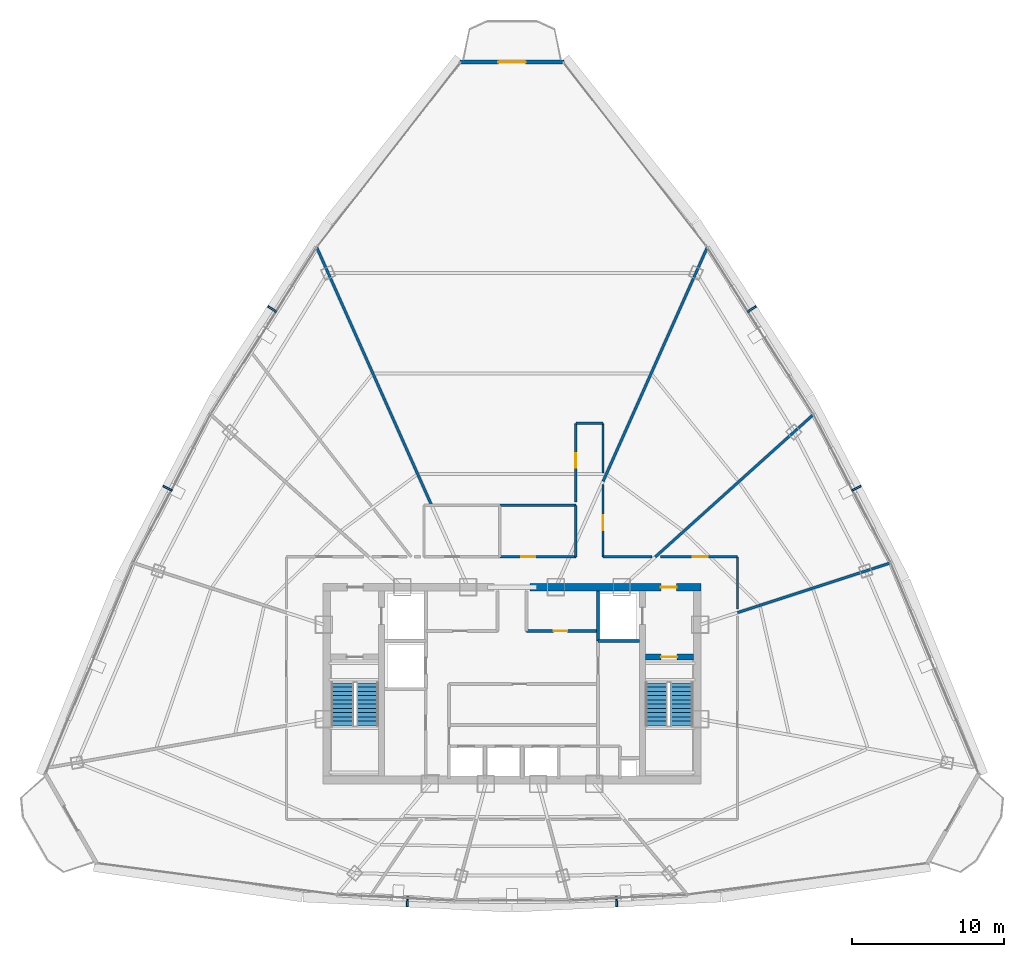
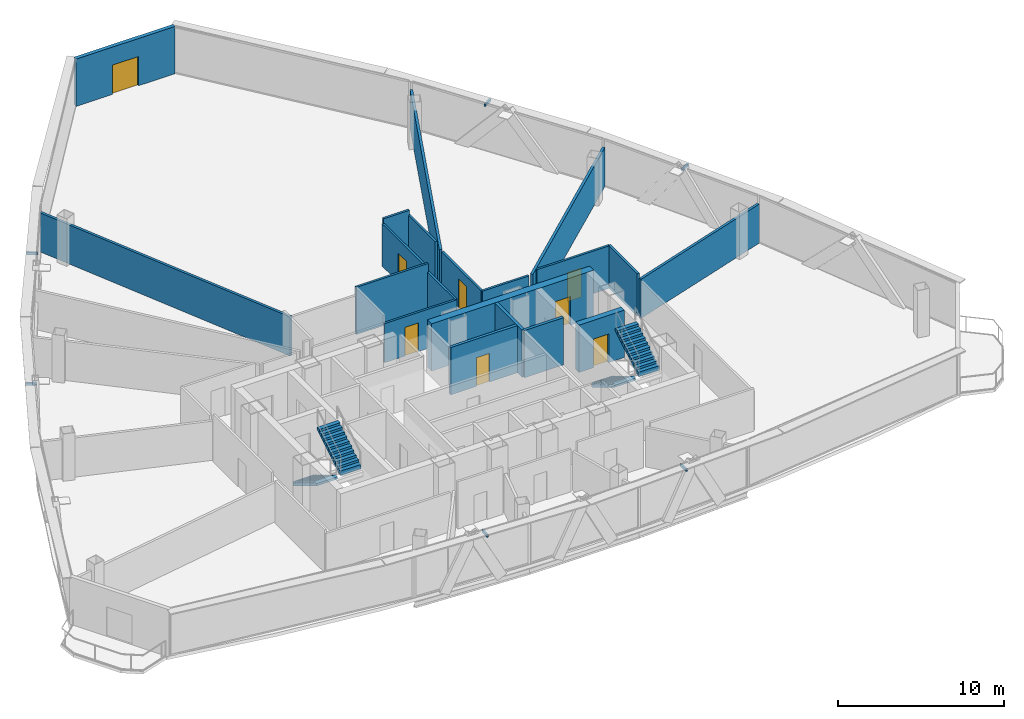
# One storey, part 30 of 33: 20 walls, 8 doors, 6 discrete accessories, 4 stair flights, 8 openings, 2 elements without a shape of their own.
"""IFC4 building model written with IfcOpenShell, lengths in metres."""

from ifc_helpers import new_model, si_unit, direction, frame, frame_2d, origin, origin_with_axes, origin_2d, place, context, subcontext, project, spatial, polyline, rectangle, outline, extrude, source, transform, mapped, material, layer, layer_set, type_object, element, fill, aggregate, save


model = new_model("IFC4")

# Units and contexts
model_context = context("Model", 3, precision=1e-05, world=origin(), true_north=direction((0.0, 1.0)))
body_context = subcontext(model_context, "Body", "Model", "MODEL_VIEW")
ifc_project = project(units=[si_unit("LENGTHUNIT", "METRE"), si_unit("AREAUNIT", "SQUARE_METRE"), si_unit("VOLUMEUNIT", "CUBIC_METRE"), si_unit("PLANEANGLEUNIT", "RADIAN"), si_unit("MASSUNIT", "GRAM", prefix="KILO"), si_unit("THERMODYNAMICTEMPERATUREUNIT", "KELVIN"), si_unit("POWERUNIT", "WATT")], contexts=[model_context])

# Site, building, storey
site_placement = place(None, origin())
site = spatial("IfcSite", under=ifc_project, at=site_placement, CompositionType="ELEMENT")
building_placement = place(site_placement, origin())
building = spatial("IfcBuilding", under=site, at=building_placement, Name="Yunzhuo Pagoda Commons", CompositionType="ELEMENT")
storey_placement = place(building_placement, frame((0.0, 0.0, 307.39990234375)))
storey = spatial("IfcBuildingStorey", under=building, at=storey_placement, Name="L77", CompositionType="ELEMENT", Elevation=307.39990234375)

# Wall, opening, door
ifc_material_1 = material(Name="Precast concrete C40", Category="concrete")
ifc_layer_1 = layer(ifc_material_1, 0.260009765625)
ifc_layer_set_1 = layer_set([ifc_layer_1], Name="Precast concrete C40")
wall_type_1 = type_object("IfcWallType", Name="W-BAL1 Corner Balcony Threshold Wall 260", PredefinedType="STANDARD", material=ifc_layer_set_1)
wall_1_placement = place(storey_placement, frame((51.437744140625, 74.7880859375, 0.0), z_axis=(0.0, 0.0, 1.0), x_axis=(-1.0, 0.0, 0.0)))
wall_1 = element("IfcWall", 1, at=wall_1_placement, inside=storey, type_object=wall_type_1, Name="L77 corner balcony wall V3", PredefinedType="STANDARD", context=body_context, shape_type="SweptSolid", body=[
    extrude(rectangle(XDim=6.87548828125, YDim=0.260009765625, at=frame_2d((3.437744140625, 0.0))), origin(), (0.0, 0.0, 1.0), 3.47021484375),
])
opening_1_placement = place(wall_1_placement, frame((2.537841796875, 0.0, 0.0)))
opening_1 = element("IfcOpeningElement", 2, at=opening_1_placement, cuts=wall_1, Name="Opening D-BAL1", PredefinedType="OPENING", context=body_context, shape_type="SweptSolid", body=[
    extrude(rectangle(XDim=1.800048828125, YDim=2.14990234375, at=frame_2d((0.89990234375, 1.074951171875))), frame((0.0, 0.14013671875, 0.0), z_axis=(0.0, -1.0, 0.0), x_axis=(1.0, 0.0, 0.0)), (0.0, 0.0, 1.0), 0.280029296875),
])
ifc_material_2 = material(Name="Anodized aluminium frame and tempered glazed leaf", Category="aluminium")
door_type_1 = type_object("IfcDoorType", Name="D-BAL1 Corner Balcony Sliding Glazed Door 1800x2150", OperationType="DOUBLE_DOOR_SLIDING", PredefinedType="DOOR", material=ifc_material_2)
shared_shape_1 = source(origin(), body_context, "Body", "SweptSolid", [
    extrude(rectangle(XDim=1.800048828125, YDim=2.14990234375, at=frame_2d((0.89990234375, 1.074951171875))), frame((0.0, 0.02490234375, 0.0), z_axis=(0.0, -1.0, 0.0), x_axis=(1.0, 0.0, 0.0)), (0.0, 0.0, 1.0), 0.050048828125),
])
door_1_placement = place(opening_1_placement, origin_with_axes())
door_1 = element("IfcDoor", 3, at=door_1_placement, inside=storey, type_object=door_type_1, Name="L77 corner balcony sliding door V3", OperationType="DOUBLE_DOOR_SLIDING", OverallHeight=2.14990234375, OverallWidth=1.800048828125, PredefinedType="DOOR", context=body_context, shape_type="MappedRepresentation", body=[
    mapped(shared_shape_1, transform((0.0, 0.0, 0.0), scale=1.0)),
])
fill(opening_1, door_1)

ifc_material_3 = material(Name="Concrete C50", Category="concrete")
ifc_layer_2 = layer(ifc_material_3, 0.5)
ifc_layer_set_2 = layer_set([ifc_layer_2], Name="Concrete C50")
wall_type_2 = type_object("IfcWallType", Name="W-C03 Upper Core Shear Wall 500", PredefinedType="SHEAR", material=ifc_layer_set_2)
wall_2_placement = place(storey_placement, frame((49.199951171875, 40.199951171875, 0.0), z_axis=(0.0, 0.0, 1.0), x_axis=(1.0, 0.0, 0.0)))
wall_2 = element("IfcWall", 4, at=wall_2_placement, inside=storey, type_object=wall_type_2, Name="L77 core shear wall NE", PredefinedType="SHEAR", context=body_context, shape_type="SweptSolid", body=[
    extrude(rectangle(XDim=11.25, YDim=0.5, at=frame_2d((5.625, 0.0))), origin(), (0.0, 0.0, 1.0), 3.47021484375),
])
opening_2_placement = place(wall_2_placement, frame((8.60009765625, 0.0, 0.0)))
opening_2 = element("IfcOpeningElement", 5, at=opening_2_placement, cuts=wall_2, Name="Opening D-02", PredefinedType="OPENING", context=body_context, shape_type="SweptSolid", body=[
    extrude(rectangle(XDim=1.050048828125, YDim=2.10009765625, at=frame_2d((0.52490234375, 1.050048828125))), frame((0.0, 0.260009765625, 0.0), z_axis=(0.0, -1.0, 0.0), x_axis=(1.0, 0.0, 0.0)), (0.0, 0.0, 1.0), 0.52001953125),
])
ifc_material_4 = material(Name="Galvanized fire-resisting metal leaf")
door_type_2 = type_object("IfcDoorType", Name="D-02 Firefighting Lobby & Refuge Fire Door 1050x2100", OperationType="NOTDEFINED", PredefinedType="DOOR", material=ifc_material_4)
shared_shape_2 = source(origin(), body_context, "Body", "SweptSolid", [
    extrude(rectangle(XDim=1.050048828125, YDim=2.10009765625, at=frame_2d((0.52490234375, 1.050048828125))), frame((0.0, 0.02490234375, 0.0), z_axis=(0.0, -1.0, 0.0), x_axis=(1.0, 0.0, 0.0)), (0.0, 0.0, 1.0), 0.050048828125),
])
door_2_placement = place(opening_2_placement, frame((1.050048828125, 0.0, 0.0), z_axis=(0.0, 0.0, 1.0), x_axis=(-1.0, 0.0, 0.0)))
door_2 = element("IfcDoor", 6, at=door_2_placement, inside=storey, type_object=door_type_2, Name="L77 Firefighting Lobby 2 fire door", OperationType="SINGLE_SWING_RIGHT", OverallHeight=2.10009765625, OverallWidth=1.050048828125, PredefinedType="DOOR", context=body_context, shape_type="MappedRepresentation", body=[
    mapped(shared_shape_2, transform((0.0, 0.0, 0.0), scale=1.0)),
])
fill(opening_2, door_2)

ifc_material_5 = material(Name="Gypsum plasterboard on acoustic stud")
ifc_layer_3 = layer(ifc_material_5, 0.14990234375)
ifc_layer_set_3 = layer_set([ifc_layer_3], Name="Gypsum plasterboard on acoustic stud")
wall_type_3 = type_object("IfcWallType", Name="W-COR3 High-Zone Rated Corridor Wall 150", PredefinedType="PARTITIONING", material=ifc_layer_set_3)
wall_3_placement = place(storey_placement, frame((47.199951171875, 42.199951171875, 0.0), z_axis=(0.0, 0.0, 1.0), x_axis=(1.0, 0.0, 0.0)))
wall_3 = element("IfcWall", 7, at=wall_3_placement, inside=storey, type_object=wall_type_3, Name="L77 interior wall IW-L77-TFES", PredefinedType="PARTITIONING", context=body_context, shape_type="SweptSolid", body=[
    extrude(rectangle(XDim=5.0, YDim=0.14990234375, at=frame_2d((2.5, 0.0))), origin(), (0.0, 0.0, 1.0), 2.8701171875),
])
opening_3_placement = place(wall_3_placement, frame((1.39990234375, 0.0, 0.0)))
opening_3 = element("IfcOpeningElement", 8, at=opening_3_placement, cuts=wall_3, Name="Opening D-11", PredefinedType="OPENING", context=body_context, shape_type="SweptSolid", body=[
    extrude(rectangle(XDim=0.93994140625, YDim=2.10009765625, at=frame_2d((0.469970703125, 1.050048828125))), frame((0.0, 0.0849609375, 0.0), z_axis=(0.0, -1.0, 0.0), x_axis=(1.0, 0.0, 0.0)), (0.0, 0.0, 1.0), 0.169921875),
])
door_type_3 = type_object("IfcDoorType", Name="D-11 Accessible Washroom Fire Door 940x2100", OperationType="NOTDEFINED", PredefinedType="DOOR", material=ifc_material_4)
shared_shape_3 = source(origin(), body_context, "Body", "SweptSolid", [
    extrude(rectangle(XDim=0.93994140625, YDim=2.10009765625, at=frame_2d((0.469970703125, 1.050048828125))), frame((0.0, 0.02490234375, 0.0), z_axis=(0.0, -1.0, 0.0), x_axis=(1.0, 0.0, 0.0)), (0.0, 0.0, 1.0), 0.050048828125),
])
door_3_placement = place(opening_3_placement, frame((0.93994140625, 0.0, 0.0), z_axis=(0.0, 0.0, 1.0), x_axis=(-1.0, 0.0, 0.0)))
door_3 = element("IfcDoor", 9, at=door_3_placement, inside=storey, type_object=door_type_3, Name="L77 accessible WC door", OperationType="SINGLE_SWING_RIGHT", OverallHeight=2.10009765625, OverallWidth=0.93994140625, PredefinedType="DOOR", context=body_context, shape_type="MappedRepresentation", body=[
    mapped(shared_shape_3, transform((0.0, 0.0, 0.0), scale=1.0)),
])
fill(opening_3, door_3)

# Walls
wall_4_placement = place(storey_placement, frame((47.199951171875, 45.60009765625, 0.0), z_axis=(0.0, 0.0, 1.0), x_axis=(1.0, 0.0, 0.0)))
element("IfcWall", 10, at=wall_4_placement, inside=storey, type_object=wall_type_3, Name="L77 interior wall IW-L77-TFEN", PredefinedType="PARTITIONING", context=body_context, shape_type="SweptSolid", body=[
    extrude(rectangle(XDim=5.0, YDim=0.14990234375, at=frame_2d((2.5, 0.0))), origin(), (0.0, 0.0, 1.0), 3.47021484375),
])
wall_5_placement = place(storey_placement, frame((52.199951171875, 42.199951171875, 0.0), z_axis=(0.0, 0.0, 1.0), x_axis=(0.0, 1.0, 0.0)))
element("IfcWall", 11, at=wall_5_placement, inside=storey, type_object=wall_type_3, Name="L77 interior wall IW-L77-TFEE", PredefinedType="PARTITIONING", context=body_context, shape_type="SweptSolid", body=[
    extrude(rectangle(XDim=3.400146484375, YDim=0.14990234375, at=frame_2d((1.7001953125, 0.0))), origin(), (0.0, 0.0, 1.0), 2.8701171875),
])

# Wall, opening, door
wall_6_placement = place(storey_placement, frame((52.199951171875, 45.820068359375, 0.0), z_axis=(0.0, 0.0, 1.0), x_axis=(0.0, 1.0, 0.0)))
wall_6 = element("IfcWall", 12, at=wall_6_placement, inside=storey, type_object=wall_type_3, Name="L77 interior wall IW-L77-CWL07", PredefinedType="PARTITIONING", context=body_context, shape_type="SweptSolid", body=[
    extrude(rectangle(XDim=5.179931640625, YDim=0.14990234375, at=frame_2d((2.58984375, 0.0))), origin(), (0.0, 0.0, 1.0), 3.1201171875),
])
opening_4_placement = place(wall_6_placement, frame((2.235107421875, 0.0, 0.0)))
opening_4 = element("IfcOpeningElement", 13, at=opening_4_placement, cuts=wall_6, Name="Opening D-08", PredefinedType="OPENING", context=body_context, shape_type="SweptSolid", body=[
    extrude(rectangle(XDim=0.97998046875, YDim=2.1201171875, at=frame_2d((0.489990234375, 1.06005859375))), frame((0.0, 0.0849609375, 0.0), z_axis=(0.0, -1.0, 0.0), x_axis=(1.0, 0.0, 0.0)), (0.0, 0.0, 1.0), 0.169921875),
])
door_type_4 = type_object("IfcDoorType", Name="D-08 High-Zone Suite Entrance Fire Door 980x2120", OperationType="NOTDEFINED", PredefinedType="DOOR", material=ifc_material_4)
shared_shape_4 = source(origin(), body_context, "Body", "SweptSolid", [
    extrude(rectangle(XDim=0.97998046875, YDim=2.1201171875, at=frame_2d((0.489990234375, 1.06005859375))), frame((0.0, 0.02490234375, 0.0), z_axis=(0.0, -1.0, 0.0), x_axis=(1.0, 0.0, 0.0)), (0.0, 0.0, 1.0), 0.050048828125),
])
door_4_placement = place(opening_4_placement, origin_with_axes())
door_4 = element("IfcDoor", 14, at=door_4_placement, inside=storey, type_object=door_type_4, Name="L77 unit 03 entrance door", OperationType="SINGLE_SWING_LEFT", OverallHeight=2.1201171875, OverallWidth=0.97998046875, PredefinedType="DOOR", context=body_context, shape_type="MappedRepresentation", body=[
    mapped(shared_shape_4, transform((0.0, 0.0, 0.0), scale=1.0)),
])
fill(opening_4, door_4)

# Walls
wall_7_placement = place(storey_placement, frame((52.199951171875, 51.0, 0.0), z_axis=(0.0, 0.0, 1.0), x_axis=(1.0, 0.0, 0.0)))
element("IfcWall", 15, at=wall_7_placement, inside=storey, type_object=wall_type_3, Name="L77 interior wall IW-L77-CWL08", PredefinedType="PARTITIONING", context=body_context, shape_type="SweptSolid", body=[
    extrude(rectangle(XDim=1.800048828125, YDim=0.14990234375, at=frame_2d((0.89990234375, 0.0))), origin(), (0.0, 0.0, 1.0), 3.47021484375),
])
wall_8_placement = place(storey_placement, frame((54.0, 51.0, 0.0), z_axis=(0.0, 0.0, 1.0), x_axis=(0.0, -1.0, 0.0)))
element("IfcWall", 16, at=wall_8_placement, inside=storey, type_object=wall_type_3, Name="L77 interior wall IW-L77-CWL09", PredefinedType="PARTITIONING", context=body_context, shape_type="SweptSolid", body=[
    extrude(rectangle(XDim=3.282958984375, YDim=0.14990234375, at=frame_2d((1.6416015625, 0.0))), origin(), (0.0, 0.0, 1.0), 3.1201171875),
])

# Wall, opening, door
wall_9_placement = place(storey_placement, frame((54.0, 46.956298828125, 0.0), z_axis=(0.0, 0.0, 1.0), x_axis=(0.0, -1.0, 0.0)))
wall_9 = element("IfcWall", 17, at=wall_9_placement, inside=storey, type_object=wall_type_3, Name="L77 interior wall IW-L77-CWL10", PredefinedType="PARTITIONING", context=body_context, shape_type="SweptSolid", body=[
    extrude(rectangle(XDim=4.75634765625, YDim=0.14990234375, at=frame_2d((2.378173828125, 0.0))), origin(), (0.0, 0.0, 1.0), 2.8701171875),
])
opening_5_placement = place(wall_9_placement, frame((2.023193359375, 0.0, 0.0)))
opening_5 = element("IfcOpeningElement", 18, at=opening_5_placement, cuts=wall_9, Name="Opening D-08", PredefinedType="OPENING", context=body_context, shape_type="SweptSolid", body=[
    extrude(rectangle(XDim=0.97998046875, YDim=2.1201171875, at=frame_2d((0.489990234375, 1.06005859375))), frame((0.0, 0.0849609375, 0.0), z_axis=(0.0, -1.0, 0.0), x_axis=(1.0, 0.0, 0.0)), (0.0, 0.0, 1.0), 0.169921875),
])
door_5_placement = place(opening_5_placement, origin_with_axes())
door_5 = element("IfcDoor", 19, at=door_5_placement, inside=storey, type_object=door_type_4, Name="L77 unit 02 entrance door", OperationType="SINGLE_SWING_RIGHT", OverallHeight=2.1201171875, OverallWidth=0.97998046875, PredefinedType="DOOR", context=body_context, shape_type="MappedRepresentation", body=[
    mapped(shared_shape_4, transform((0.0, 0.0, 0.0), scale=1.0)),
])
fill(opening_5, door_5)

# Wall
wall_10_placement = place(storey_placement, frame((54.0, 42.199951171875, 0.0), z_axis=(0.0, 0.0, 1.0), x_axis=(1.0, 0.0, 0.0)))
element("IfcWall", 20, at=wall_10_placement, inside=storey, type_object=wall_type_3, Name="L77 interior wall IW-L77-CWL11", PredefinedType="PARTITIONING", context=body_context, shape_type="SweptSolid", body=[
    extrude(rectangle(XDim=3.220458984375, YDim=0.14990234375, at=frame_2d((1.6103515625, 0.0))), origin(), (0.0, 0.0, 1.0), 2.8701171875),
])

# Wall, opening, door
wall_11_placement = place(storey_placement, frame((57.76904296875, 42.199951171875, 0.0), z_axis=(0.0, 0.0, 1.0), x_axis=(1.0, 0.0, 0.0)))
wall_11 = element("IfcWall", 21, at=wall_11_placement, inside=storey, type_object=wall_type_3, Name="L77 interior wall IW-L77-CWL12", PredefinedType="PARTITIONING", context=body_context, shape_type="SweptSolid", body=[
    extrude(rectangle(XDim=5.0810546875, YDim=0.14990234375, at=frame_2d((2.54052734375, 0.0))), origin(), (0.0, 0.0, 1.0), 3.1201171875),
])
opening_6_placement = place(wall_11_placement, frame((2.131103515625, 0.0, 0.0)))
opening_6 = element("IfcOpeningElement", 22, at=opening_6_placement, cuts=wall_11, Name="Opening D-08", PredefinedType="OPENING", context=body_context, shape_type="SweptSolid", body=[
    extrude(rectangle(XDim=0.97998046875, YDim=2.1201171875, at=frame_2d((0.489990234375, 1.06005859375))), frame((0.0, 0.0849609375, 0.0), z_axis=(0.0, -1.0, 0.0), x_axis=(1.0, 0.0, 0.0)), (0.0, 0.0, 1.0), 0.169921875),
])
door_6_placement = place(opening_6_placement, origin_with_axes())
door_6 = element("IfcDoor", 23, at=door_6_placement, inside=storey, type_object=door_type_4, Name="L77 unit 01 entrance door", OperationType="SINGLE_SWING_LEFT", OverallHeight=2.1201171875, OverallWidth=0.97998046875, PredefinedType="DOOR", context=body_context, shape_type="MappedRepresentation", body=[
    mapped(shared_shape_4, transform((0.0, 0.0, 0.0), scale=1.0)),
])
fill(opening_6, door_6)

# Walls
wall_12_placement = place(storey_placement, frame((62.85009765625, 42.199951171875, 0.0), z_axis=(0.0, 0.0, 1.0), x_axis=(0.0, -1.0, 0.0)))
element("IfcWall", 24, at=wall_12_placement, inside=storey, type_object=wall_type_3, Name="L77 interior wall IW-L77-CWL13", PredefinedType="PARTITIONING", context=body_context, shape_type="SweptSolid", body=[
    extrude(rectangle(XDim=3.443603515625, YDim=0.14990234375, at=frame_2d((1.7216796875, 0.0))), origin(), (0.0, 0.0, 1.0), 3.1201171875),
])
ifc_layer_4 = layer(ifc_material_5, 0.169921875)
ifc_layer_set_4 = layer_set([ifc_layer_4], Name="Gypsum plasterboard on acoustic stud")
wall_type_4 = type_object("IfcWallType", Name="W-PRT4 High-Zone Demising Wall 170", PredefinedType="PARTITIONING", material=ifc_layer_set_4)
wall_13_placement = place(storey_placement, frame((62.85009765625, 38.525146484375, 0.0), z_axis=(0.0, 0.0, 1.0), x_axis=(0.951060589798, 0.309004457141, 0.0)))
element("IfcWall", 25, at=wall_13_placement, inside=storey, type_object=wall_type_4, Name="L77 interior wall IW-L77-RAD01", PredefinedType="PARTITIONING", context=body_context, shape_type="SweptSolid", body=[
    extrude(rectangle(XDim=10.61962890625, YDim=0.169921875, at=frame_2d((5.309814453125, 0.0))), origin(), (0.0, 0.0, 1.0), 2.8701171875),
])
wall_14_placement = place(storey_placement, frame((57.440185546875, 42.199951171875, 0.0), z_axis=(0.0, 0.0, 1.0), x_axis=(0.74314439151, 0.669131088329, 0.0)))
element("IfcWall", 26, at=wall_14_placement, inside=storey, type_object=wall_type_4, Name="L77 interior wall IW-L77-RAD02", PredefinedType="PARTITIONING", context=body_context, shape_type="SweptSolid", body=[
    extrude(rectangle(XDim=14.025634765625, YDim=0.169921875, at=frame_2d((7.0126953125, 0.0))), origin(), (0.0, 0.0, 1.0), 2.8701171875),
])
wall_15_placement = place(storey_placement, frame((54.0, 47.17626953125, 0.0), z_axis=(0.0, 0.0, 1.0), x_axis=(0.406741029061, 0.913543504863, 0.0)))
element("IfcWall", 27, at=wall_15_placement, inside=storey, type_object=wall_type_4, Name="L77 interior wall IW-L77-RAD03", PredefinedType="PARTITIONING", context=body_context, shape_type="SweptSolid", body=[
    extrude(rectangle(XDim=16.876953125, YDim=0.169921875, at=frame_2d((8.4384765625, 0.0))), origin(), (0.0, 0.0, 1.0), 2.8701171875),
])
wall_16_placement = place(storey_placement, frame((42.701904296875, 45.60009765625, 0.0), z_axis=(0.0, 0.0, 1.0), x_axis=(-0.406747233578, 0.913540742374, 0.0)))
element("IfcWall", 28, at=wall_16_placement, inside=storey, type_object=wall_type_4, Name="L77 interior wall IW-L77-RAD04", PredefinedType="PARTITIONING", context=body_context, shape_type="SweptSolid", body=[
    extrude(rectangle(XDim=18.602294921875, YDim=0.169921875, at=frame_2d((9.30126953125, 0.0))), origin(), (0.0, 0.0, 1.0), 2.8701171875),
])

# Wall, opening, door
ifc_material_6 = material(Name="Concrete C60", Category="concrete")
ifc_layer_5 = layer(ifc_material_6, 0.39990234375)
ifc_layer_set_5 = layer_set([ifc_layer_5], Name="Concrete C60")
wall_type_5 = type_object("IfcWallType", Name="W-S01 Internal Core Shear Web 400", PredefinedType="SHEAR", material=ifc_layer_set_5)
wall_17_placement = place(storey_placement, frame((56.800048828125, 35.60009765625, 0.0), z_axis=(0.0, 0.0, 1.0), x_axis=(1.0, 0.0, 0.0)))
wall_17 = element("IfcWall", 29, at=wall_17_placement, inside=storey, type_object=wall_type_5, Name="L77 core shear wall STE", PredefinedType="SHEAR", context=body_context, shape_type="SweptSolid", body=[
    extrude(rectangle(XDim=3.14990234375, YDim=0.39990234375, at=frame_2d((1.574951171875, 0.0))), origin(), (0.0, 0.0, 1.0), 3.47021484375),
])
opening_7_placement = place(wall_17_placement, frame((1.02001953125, 0.0, 0.0)))
opening_7 = element("IfcOpeningElement", 30, at=opening_7_placement, cuts=wall_17, Name="Opening D-01", PredefinedType="OPENING", context=body_context, shape_type="SweptSolid", body=[
    extrude(rectangle(XDim=1.050048828125, YDim=2.10009765625, at=frame_2d((0.52490234375, 1.050048828125))), frame((0.0, 0.2099609375, 0.0), z_axis=(0.0, -1.0, 0.0), x_axis=(1.0, 0.0, 0.0)), (0.0, 0.0, 1.0), 0.419921875),
])
door_type_5 = type_object("IfcDoorType", Name="D-01 Smokeproof Stair Fire Door 1050x2100", OperationType="NOTDEFINED", PredefinedType="DOOR", material=ifc_material_4)
door_7_placement = place(opening_7_placement, frame((1.050048828125, 0.0, 0.0), z_axis=(0.0, 0.0, 1.0), x_axis=(-1.0, 0.0, 0.0)))
door_7 = element("IfcDoor", 31, at=door_7_placement, inside=storey, type_object=door_type_5, Name="L77 Stair ST2 fire door", OperationType="SINGLE_SWING_RIGHT", OverallHeight=2.10009765625, OverallWidth=1.050048828125, PredefinedType="DOOR", context=body_context, shape_type="MappedRepresentation", body=[
    mapped(shared_shape_2, transform((0.0, 0.0, 0.0), scale=1.0)),
])
fill(opening_7, door_7)

# Walls
ifc_material_7 = material(Name="Concrete C40", Category="concrete")
ifc_layer_6 = layer(ifc_material_7, 0.199951171875)
ifc_layer_set_6 = layer_set([ifc_layer_6], Name="Concrete C40")
wall_type_6 = type_object("IfcWallType", Name="W-SHF Shaft & Stair Enclosure Wall 200", PredefinedType="SOLIDWALL", material=ifc_layer_set_6)
wall_18_placement = place(storey_placement, frame((53.679931640625, 36.64990234375, 0.0), z_axis=(0.0, 0.0, 1.0), x_axis=(0.0, 1.0, 0.0)))
element("IfcWall", 32, at=wall_18_placement, inside=storey, type_object=wall_type_6, Name="L77 interior wall IW-L77-FL2W", PredefinedType="SOLIDWALL", context=body_context, shape_type="SweptSolid", body=[
    extrude(rectangle(XDim=3.300048828125, YDim=0.199951171875, at=frame_2d((1.64990234375, 0.0))), origin(), (0.0, 0.0, 1.0), 3.47021484375),
])
wall_19_placement = place(storey_placement, frame((53.679931640625, 36.64990234375, 0.0), z_axis=(0.0, 0.0, 1.0), x_axis=(1.0, 0.0, 0.0)))
element("IfcWall", 33, at=wall_19_placement, inside=storey, type_object=wall_type_6, Name="L77 interior wall IW-L77-FL2S", PredefinedType="SOLIDWALL", context=body_context, shape_type="SweptSolid", body=[
    extrude(rectangle(XDim=2.719970703125, YDim=0.199951171875, at=frame_2d((1.35986328125, 0.0))), origin(), (0.0, 0.0, 1.0), 3.47021484375),
])

# Wall, opening, door
wall_20_placement = place(storey_placement, frame((48.949951171875, 37.320068359375, 0.0), z_axis=(0.0, 0.0, 1.0), x_axis=(1.0, 0.0, 0.0)))
wall_20 = element("IfcWall", 34, at=wall_20_placement, inside=storey, type_object=wall_type_6, Name="L77 interior wall IW-L77-LBNE", PredefinedType="SOLIDWALL", context=body_context, shape_type="SweptSolid", body=[
    extrude(rectangle(XDim=4.72998046875, YDim=0.199951171875, at=frame_2d((2.364990234375, 0.0))), origin(), (0.0, 0.0, 1.0), 3.47021484375),
])
opening_8_placement = place(wall_20_placement, frame((1.800048828125, 0.0, 0.0)))
opening_8 = element("IfcOpeningElement", 35, at=opening_8_placement, cuts=wall_20, Name="Opening D-03", PredefinedType="OPENING", context=body_context, shape_type="SweptSolid", body=[
    extrude(rectangle(XDim=0.89990234375, YDim=2.10009765625, at=frame_2d((0.449951171875, 1.050048828125))), frame((0.0, 0.10986328125, 0.0), z_axis=(0.0, -1.0, 0.0), x_axis=(1.0, 0.0, 0.0)), (0.0, 0.0, 1.0), 0.219970703125),
])
door_type_6 = type_object("IfcDoorType", Name="D-03 Core Service Fire Door 900x2100", OperationType="NOTDEFINED", PredefinedType="DOOR", material=ifc_material_4)
shared_shape_5 = source(origin(), body_context, "Body", "SweptSolid", [
    extrude(rectangle(XDim=0.89990234375, YDim=2.10009765625, at=frame_2d((0.449951171875, 1.050048828125))), frame((0.0, 0.02490234375, 0.0), z_axis=(0.0, -1.0, 0.0), x_axis=(1.0, 0.0, 0.0)), (0.0, 0.0, 1.0), 0.050048828125),
])
door_8_placement = place(opening_8_placement, frame((0.89990234375, 0.0, 0.0), z_axis=(0.0, 0.0, 1.0), x_axis=(-1.0, 0.0, 0.0)))
door_8 = element("IfcDoor", 36, at=door_8_placement, inside=storey, type_object=door_type_6, Name="L77 core east store door", OperationType="SINGLE_SWING_RIGHT", OverallHeight=2.10009765625, OverallWidth=0.89990234375, PredefinedType="DOOR", context=body_context, shape_type="MappedRepresentation", body=[
    mapped(shared_shape_5, transform((0.0, 0.0, 0.0), scale=1.0)),
])
fill(opening_8, door_8)

# Stair, stair flights
stair_type_1 = type_object("IfcStairType", Name="ST-C1 Core Smokeproof Stair ST1", PredefinedType="HALF_TURN_STAIR", material=ifc_material_7)
stair_1_placement = place(storey_placement, origin())
stair_1 = element("IfcStair", 37, at=stair_1_placement, inside=storey, type_object=stair_type_1, Name="L77 Core smokeproof stair ST1", PredefinedType="HALF_TURN_STAIR")
stair_flight_type_1 = type_object("IfcStairFlightType", Name="STF-C1 Core Stair Flight 1450", PredefinedType="STRAIGHT", material=ifc_material_7)
shared_shape_6 = source(origin(), body_context, "Body", "SweptSolid", [
    extrude(outline(polyline([(0.0, -0.14990234375), (0.0, 0.0), (0.0, 0.16943359375), (0.280029296875, 0.16943359375), (0.280029296875, 0.339111328125), (0.56005859375, 0.339111328125), (0.56005859375, 0.508544921875), (0.840087890625, 0.508544921875), (0.840087890625, 0.67822265625), (1.1201171875, 0.67822265625), (1.1201171875, 0.84765625), (1.39990234375, 0.84765625), (1.39990234375, 1.017333984375), (1.679931640625, 1.017333984375), (1.679931640625, 1.186767578125), (1.9599609375, 1.186767578125), (1.9599609375, 1.3564453125), (2.239990234375, 1.3564453125), (2.239990234375, 1.52587890625), (2.52001953125, 1.52587890625), (2.52001953125, 1.695556640625), (2.800048828125, 1.695556640625), (2.800048828125, 1.864990234375), (2.800048828125, 1.520263671875), (0.289306640625, 0.0), (0.050048828125, -0.14990234375), (0.0, -0.14990234375)])), frame((0.0, 0.72509765625, 0.0), z_axis=(0.0, -1.0, 0.0), x_axis=(1.0, 0.0, 0.0)), (0.0, 0.0, 1.0), 1.449951171875),
])
stair_flight_1_placement = place(storey_placement, frame((36.824951171875, 33.89990234375, 0.0), z_axis=(0.0, 0.0, 1.0), x_axis=(0.0, -1.0, 0.0)))
stair_flight_1 = element("IfcStairFlight", 38, at=stair_flight_1_placement, type_object=stair_flight_type_1, Name="ST1 flight 1", NumberOfRisers=11, NumberOfTreads=10, PredefinedType="STRAIGHT", RiserHeight=0.169545455, TreadLength=0.28, context=body_context, shape_type="MappedRepresentation", body=[
    mapped(shared_shape_6, transform((0.0, 0.0, 0.0), scale=1.0)),
])
stair_flight_2_placement = place(storey_placement, frame((38.47509765625, 31.10009765625, 1.864990234375), z_axis=(0.0, 0.0, 1.0), x_axis=(0.0, 1.0, 0.0)))
stair_flight_2 = element("IfcStairFlight", 39, at=stair_flight_2_placement, type_object=stair_flight_type_1, Name="ST1 flight 2", NumberOfRisers=11, NumberOfTreads=10, PredefinedType="STRAIGHT", RiserHeight=0.169545455, TreadLength=0.28, context=body_context, shape_type="MappedRepresentation", body=[
    mapped(shared_shape_6, transform((0.0, 0.0, 0.0), scale=1.0)),
])
aggregate(stair_1, [stair_flight_1, stair_flight_2])

stair_type_2 = type_object("IfcStairType", Name="ST-C2 Core Smokeproof Stair ST2", PredefinedType="HALF_TURN_STAIR", material=ifc_material_7)
stair_2_placement = place(storey_placement, origin())
stair_2 = element("IfcStair", 40, at=stair_2_placement, inside=storey, type_object=stair_type_2, Name="L77 Core smokeproof stair ST2", PredefinedType="HALF_TURN_STAIR")
stair_flight_type_2 = type_object("IfcStairFlightType", Name="STF-C2 Core Stair Flight 1460", PredefinedType="STRAIGHT", material=ifc_material_7)
stair_flight_3_placement = place(storey_placement, frame((57.52490234375, 33.89990234375, 0.0), z_axis=(0.0, 0.0, 1.0), x_axis=(0.0, -1.0, 0.0)))
stair_flight_3 = element("IfcStairFlight", 41, at=stair_flight_3_placement, type_object=stair_flight_type_2, Name="ST2 flight 1", NumberOfRisers=11, NumberOfTreads=10, PredefinedType="STRAIGHT", RiserHeight=0.169545455, TreadLength=0.28, context=body_context, shape_type="MappedRepresentation", body=[
    mapped(shared_shape_6, transform((0.0, 0.0, 0.0), scale=1.0)),
])
stair_flight_4_placement = place(storey_placement, frame((59.175048828125, 31.10009765625, 1.864990234375), z_axis=(0.0, 0.0, 1.0), x_axis=(0.0, 1.0, 0.0)))
stair_flight_4 = element("IfcStairFlight", 42, at=stair_flight_4_placement, type_object=stair_flight_type_2, Name="ST2 flight 2", NumberOfRisers=11, NumberOfTreads=10, PredefinedType="STRAIGHT", RiserHeight=0.169545455, TreadLength=0.28, context=body_context, shape_type="MappedRepresentation", body=[
    mapped(shared_shape_6, transform((0.0, 0.0, 0.0), scale=1.0)),
])
aggregate(stair_2, [stair_flight_3, stair_flight_4])

# Discrete accessories
ifc_material_8 = material(Name="Anodized aluminium 6063-T6", Category="aluminium")
discrete_accessory_type = type_object("IfcDiscreteAccessoryType", Name="BK-SUN1 Sunshade Outrigger Bracket", PredefinedType="BRACKET", material=ifc_material_8)
shared_shape_7 = source(origin(), body_context, "Body", "SweptSolid", [
    extrude(rectangle(XDim=0.1201171875, YDim=0.679931640625, at=origin_2d()), origin(), (0.0, 0.0, 1.0), 0.179931640625),
])
for number, where, z_axis, x_axis, name in (
    (43, (41.108642578125, 19.49169921875, 3.26025390625), (0.0, 0.0, 1.0), (0.998818043775, -0.04860571396, 0.0), "L77 sunshade outrigger bracket F1.2"),
    (44, (54.891357421875, 19.49169921875, 3.26025390625), (0.0, 0.0, 1.0), (0.998818043775, 0.04860571396, 0.0), "L77 sunshade outrigger bracket F1.3"),
    (45, (70.694091796875, 46.71923828125, 3.26025390625), (0.0, 0.0, 1.0), (-0.461206683033, 0.88729273384, 0.0), "L77 sunshade outrigger bracket F2.2"),
    (46, (63.802490234375, 58.525390625, 3.26025390625), (0.0, 0.0, 1.0), (-0.545853380833, 0.837880711458, 0.0), "L77 sunshade outrigger bracket F2.3"),
    (47, (32.197509765625, 58.525390625, 3.26025390625), (0.0, 0.0, 1.0), (-0.545853380833, -0.837880711458, 0.0), "L77 sunshade outrigger bracket F3.2"),
    (48, (25.305908203125, 46.71923828125, 3.26025390625), (0.0, 0.0, 1.0), (-0.461206683033, -0.88729273384, 0.0), "L77 sunshade outrigger bracket F3.3"),
):
    element("IfcDiscreteAccessory", number, at=place(storey_placement, frame(where, z_axis=z_axis, x_axis=x_axis)), inside=storey, type_object=discrete_accessory_type, Name=name, PredefinedType="BRACKET", context=body_context, shape_type="MappedRepresentation", body=[
        mapped(shared_shape_7, transform((0.0, 0.0, 0.0), scale=1.0)),
    ])

save(model, "model.ifc")
